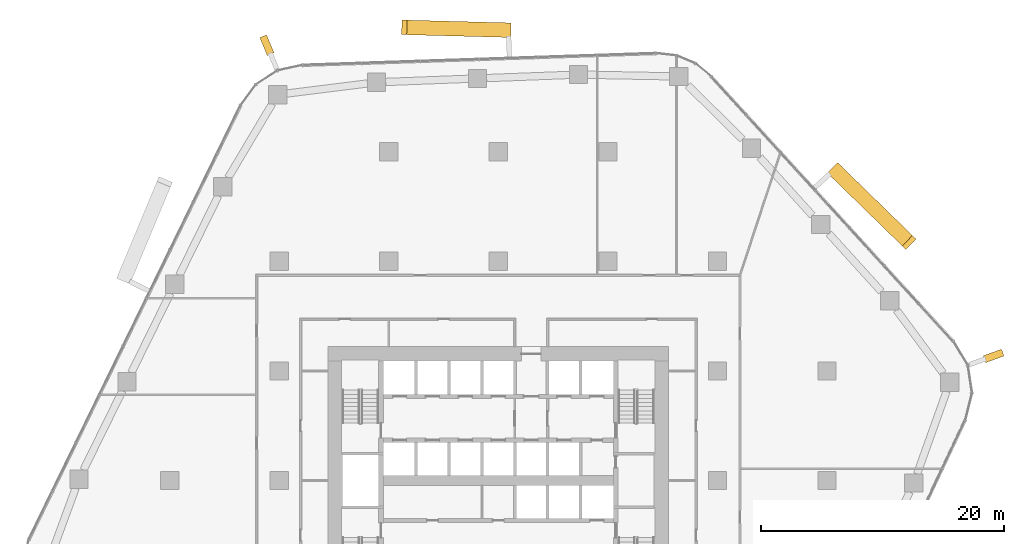
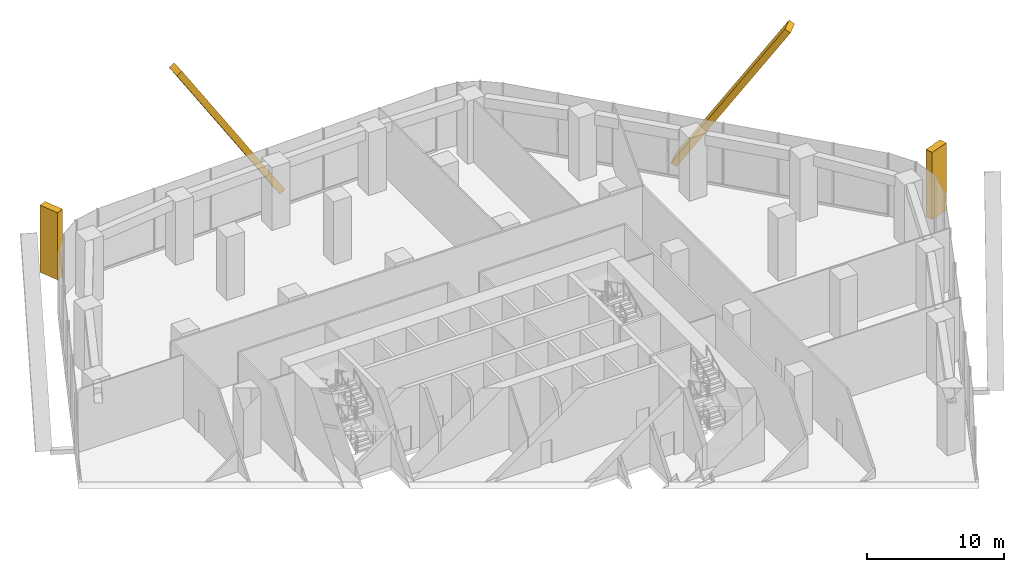
# One storey, part 19 of 19: 4 coverings, 4 elements without a shape of their own.
"""IFC4 building model written with IfcOpenShell, lengths in metres."""

import ifcopenshell
import ifcopenshell.guid

model = None  # the IFC model being written
_history = None  # IfcOwnerHistory: only IFC2X3 demands one
_inside = {}  # id of a spatial element -> (the spatial element, [elements in it])
_under = {}  # id of a project, library or spatial element -> (it, [spatial elements below it])
_declared = {}  # id of a project -> (the project, [libraries it declares])
_typed = {}  # id of a type object -> (the type object, [elements of that type])
_made_of = {}  # id of a material, layer set ... -> (it, [elements and type objects made of it])


def new_model(schema):
    """Start an empty IFC model of exactly this schema.

    Asked for "IFC4X3", IfcOpenShell would pick the latest addendum, in which some entities
    have other attributes; the version numbers below select the first issue.
    IFC2X3 requires an IfcOwnerHistory on every rooted entity: one is made here for all.
    """
    global model, _history
    if schema == "IFC4X3":
        model = ifcopenshell.file(schema_version=(4, 3, 0, 0))
    else:
        model = ifcopenshell.file(schema=schema)
    _inside.clear()
    _under.clear()
    _declared.clear()
    _typed.clear()
    _made_of.clear()
    _history = None
    if model.schema == "IFC2X3":
        org = make("IfcOrganization", Name="unknown")
        user = make(
            "IfcPersonAndOrganization",
            ThePerson=make("IfcPerson", FamilyName="unknown"),
            TheOrganization=org,
        )
        app = make(
            "IfcApplication",
            ApplicationDeveloper=org,
            Version="unknown",
            ApplicationFullName="unknown",
            ApplicationIdentifier="unknown",
        )
        _history = make(
            "IfcOwnerHistory",
            OwningUser=user,
            OwningApplication=app,
            ChangeAction="ADDED",
            CreationDate=0,
        )
    return model


def make(cls, **values):
    """One entity of the class cls with the attributes given. An attribute that is None is left unset."""
    return model.create_entity(
        cls, **{name: value for name, value in values.items() if value is not None}
    )


def rooted(cls, **values):
    """An entity with a GlobalId (a new one), such as an element, a storey or a relation."""
    return make(cls, GlobalId=ifcopenshell.guid.new(), OwnerHistory=_history, **values)


def si_unit(unit_type, name, prefix=None):
    """IfcSIUnit, for example si_unit("LENGTHUNIT", "METRE", prefix="MILLI")."""
    return make("IfcSIUnit", UnitType=unit_type, Prefix=prefix, Name=name)


def assignment(units):
    """IfcUnitAssignment: the units of a project."""
    return None if units is None else make("IfcUnitAssignment", Units=units)


def point(xyz):
    """IfcCartesianPoint."""
    return None if xyz is None else make("IfcCartesianPoint", Coordinates=xyz)


def direction(xyz):
    """IfcDirection."""
    return None if xyz is None else make("IfcDirection", DirectionRatios=xyz)


def frame(location, z_axis=None, x_axis=None):
    """IfcAxis2Placement3D, a coordinate frame: its origin and axes. An axis left out is left unset."""
    return make(
        "IfcAxis2Placement3D",
        Location=point(location),
        Axis=direction(z_axis),
        RefDirection=direction(x_axis),
    )


def frame_2d(location, x_axis=None):
    """IfcAxis2Placement2D, a coordinate frame in the plane: its origin and x axis."""
    return make(
        "IfcAxis2Placement2D", Location=point(location), RefDirection=direction(x_axis)
    )


def origin():
    """The frame at (0, 0, 0) with its axes left unset."""
    return frame((0.0, 0.0, 0.0))


def origin_2d():
    """The frame at (0, 0) in the plane with its x axis left unset."""
    return frame_2d((0.0, 0.0))


def place(relative_to, where):
    """IfcLocalPlacement: puts the frame where relative to a parent placement (None: the world)."""
    return make(
        "IfcLocalPlacement", PlacementRelTo=relative_to, RelativePlacement=where
    )


def context(
    kind, dimensions, precision=None, world=None, true_north=None, identifier=None
):
    """IfcGeometricRepresentationContext, for example the 3D "Model" context."""
    return make(
        "IfcGeometricRepresentationContext",
        ContextIdentifier=identifier,
        ContextType=kind,
        CoordinateSpaceDimension=dimensions,
        Precision=precision,
        WorldCoordinateSystem=world,
        TrueNorth=true_north,
    )


def subcontext(parent, identifier, kind, view, scale=None):
    """IfcGeometricRepresentationSubContext, for example "Body" below "Model"."""
    return make(
        "IfcGeometricRepresentationSubContext",
        ContextIdentifier=identifier,
        ContextType=kind,
        ParentContext=parent,
        TargetScale=scale,
        TargetView=view,
    )


def project(units=None, contexts=None):
    """IfcProject with its units and contexts."""
    return rooted(
        "IfcProject",
        Name="project",
        RepresentationContexts=contexts,
        UnitsInContext=assignment(units),
    )


def spatial(cls, under=None, at=None, **own):
    """A site, building, storey or space (cls), placed at a placement, below another one or the project."""
    s = rooted(cls, ObjectPlacement=at, **own)
    if under is not None:
        _under.setdefault(under.id(), (under, []))[1].append(s)
    return s


def profile(cls, at=None, kind="AREA", **sizes):
    """A parametric profile (cls). Its sizes go by their IFC names, for example OverallWidth=200.0."""
    return make(cls, ProfileType=kind, Position=at, **sizes)


def rectangle(**sizes):
    """IfcRectangleProfileDef."""
    return profile("IfcRectangleProfileDef", **sizes)


def extrude(swept, where, along, depth):
    """IfcExtrudedAreaSolid: the profile swept, set in the frame where, extruded along a direction by depth."""
    return make(
        "IfcExtrudedAreaSolid",
        SweptArea=swept,
        Position=where,
        ExtrudedDirection=direction(along),
        Depth=depth,
    )


def shape(context_of_items, identifier, shape_type, items):
    """IfcShapeRepresentation: the items that make up one representation, for example the "Body"."""
    return make(
        "IfcShapeRepresentation",
        ContextOfItems=context_of_items,
        RepresentationIdentifier=identifier,
        RepresentationType=shape_type,
        Items=items,
    )


def material(Name=None, Category=None):
    """IfcMaterial."""
    return make("IfcMaterial", Name=Name, Category=Category)


def layer(
    of_material, thickness, ventilated=None, Name=None, Category=None, Priority=None
):
    """IfcMaterialLayer: one layer of a wall or slab, of a material (None: an air gap)."""
    return make(
        "IfcMaterialLayer",
        Material=of_material,
        LayerThickness=thickness,
        IsVentilated=ventilated,
        Name=Name,
        Category=Category,
        Priority=Priority,
    )


def layer_set(layers, Name=None):
    """IfcMaterialLayerSet."""
    return make("IfcMaterialLayerSet", MaterialLayers=layers, LayerSetName=Name)


def material_profile(
    of_material, cross_section, Name=None, Category=None, Priority=None
):
    """IfcMaterialProfile: a cross section and its material."""
    return make(
        "IfcMaterialProfile",
        Name=Name,
        Material=of_material,
        Profile=cross_section,
        Priority=Priority,
        Category=Category,
    )


def profile_set(profiles, Name=None, composite=None):
    """IfcMaterialProfileSet."""
    return make(
        "IfcMaterialProfileSet",
        Name=Name,
        MaterialProfiles=profiles,
        CompositeProfile=composite,
    )


def made_of(thing, what):
    """Note that an element or type object is made of a material, layer set ...; save() writes the relation."""
    if what is not None:
        _made_of.setdefault(what.id(), (what, []))[1].append(thing)
    return thing


def type_object(cls, material=None, **own):
    """A type object (cls), such as IfcWallType, which elements share."""
    return made_of(rooted(cls, **own), material)


def element(
    cls,
    number,
    at=None,
    inside=None,
    cuts=None,
    type_object=None,
    material=None,
    context=None,
    identifier="Body",
    shape_type=None,
    held_by="IfcProductDefinitionShape",
    body=None,
    shapes=None,
    **own,
):
    """One element of the class cls, such as IfcWall. Its Tag is "e" and its number.

    at: its placement. inside: the storey or other place that contains it. cuts: it is an
    opening in that element (IfcRelVoidsElement). A single representation is given by context,
    identifier, shape_type and body (its items); several are given by shapes. held_by: the class
    of the entity that holds the representations. save() writes the other relations.
    """
    e = rooted(cls, Tag="e%d" % number, ObjectPlacement=at, **own)
    if body is not None:
        shapes = [shape(context, identifier, shape_type, body)]
    if shapes is not None:
        e.Representation = make(held_by, Representations=shapes)
    if inside is not None:
        _inside.setdefault(inside.id(), (inside, []))[1].append(e)
    if cuts is not None:
        rooted(
            "IfcRelVoidsElement", RelatingBuildingElement=cuts, RelatedOpeningElement=e
        )
    if type_object is not None:
        _typed.setdefault(type_object.id(), (type_object, []))[1].append(e)
    return made_of(e, material)


def aggregate(whole, parts):
    """IfcRelAggregates: a whole, such as a stair, and the parts it consists of."""
    return rooted("IfcRelAggregates", RelatingObject=whole, RelatedObjects=parts)


def save(model, path):
    """Write the relations noted so far, then the file.

    IfcRelAggregates (storeys below a building ...), IfcRelContainedInSpatialStructure (elements
    in a storey), IfcRelDefinesByType, IfcRelAssociatesMaterial and IfcRelDeclares: one each for
    every whole, place, type object, material and project.
    """
    for whole, parts in _under.values():
        aggregate(whole, parts)
    for where, things in _inside.values():
        rooted(
            "IfcRelContainedInSpatialStructure",
            RelatedElements=things,
            RelatingStructure=where,
        )
    for kind, things in _typed.values():
        rooted("IfcRelDefinesByType", RelatedObjects=things, RelatingType=kind)
    for what, things in _made_of.values():
        rooted("IfcRelAssociatesMaterial", RelatedObjects=things, RelatingMaterial=what)
    for by, libraries in _declared.values():
        rooted("IfcRelDeclares", RelatingContext=by, RelatedDefinitions=libraries)
    model.write(path)


model = new_model("IFC4")

# Units and contexts
model_context = context("Model", 3, precision=1e-05, world=origin(), true_north=direction((0.0, 1.0)))
body_context = subcontext(model_context, "Body", "Model", "MODEL_VIEW")
ifc_project = project(units=[si_unit("LENGTHUNIT", "METRE"), si_unit("AREAUNIT", "SQUARE_METRE"), si_unit("VOLUMEUNIT", "CUBIC_METRE"), si_unit("PLANEANGLEUNIT", "RADIAN"), si_unit("MASSUNIT", "GRAM", prefix="KILO")], contexts=[model_context])

# Site, building, storey
site_placement = place(None, origin())
site = spatial("IfcSite", under=ifc_project, at=site_placement, CompositionType="ELEMENT")
building_placement = place(site_placement, origin())
building = spatial("IfcBuilding", under=site, at=building_placement, Name="Dongbaek Canopy Tower", CompositionType="ELEMENT")
storey_placement = place(building_placement, frame((0.0, 0.0, 38.0)))
storey = spatial("IfcBuildingStorey", under=building, at=storey_placement, Name="L05", CompositionType="ELEMENT", Elevation=38.0)

# Curtain wall, covering
ifc_material_1 = material(Name="Aluminium 6063-T6 pale anodised", Category="aluminium")
ifc_layer = layer(ifc_material_1, 0.25)
ifc_layer_set = layer_set([ifc_layer], Name="CW-4 sky-lobby curtain wall")
curtain_wall_type = type_object("IfcCurtainWallType", Name="CW-4 sky-lobby curtain wall", PredefinedType="NOTDEFINED", material=ifc_layer_set)
curtain_wall_1_placement = place(storey_placement, origin())
curtain_wall_1 = element("IfcCurtainWall", 1, at=curtain_wall_1_placement, inside=storey, type_object=curtain_wall_type, Name="CW-4 curtain wall K0.1", PredefinedType="NOTDEFINED")
ifc_material_2 = material(Name="Aluminium 6063-T6 pale metal fin", Category="aluminium")
ifc_material_profile_1 = material_profile(ifc_material_2, rectangle(XDim=1.60009765625, YDim=0.60009765625, at=origin_2d()), Name="Corner fin CN1 600 x 1600 pale metal")
ifc_profile_set_1 = profile_set([ifc_material_profile_1], Name="Aluminium 6063-T6 pale metal fin")
covering_type_1 = type_object("IfcCoveringType", Name="Corner fin CN1 600 x 1600 pale metal", PredefinedType="CLADDING", material=ifc_profile_set_1)
covering_1_placement = place(storey_placement, frame((40.69580078125, 10.230712890625, -0.199951171875), z_axis=(0.0, 0.0, 1.0), x_axis=(0.94053797847, 0.339688550079, 0.0)))
covering_1 = element("IfcCovering", 2, at=covering_1_placement, type_object=covering_type_1, Name="Corner fin L05 L05 K0", PredefinedType="CLADDING", context=body_context, shape_type="SweptSolid", body=[
    extrude(rectangle(XDim=1.60009765625, YDim=0.60009765625, at=origin_2d()), origin(), (0.0, 0.0, 1.0), 5.97998046875),
])
aggregate(curtain_wall_1, [covering_1])

curtain_wall_2_placement = place(storey_placement, origin())
curtain_wall_2 = element("IfcCurtainWall", 3, at=curtain_wall_2_placement, inside=storey, type_object=curtain_wall_type, Name="CW-4 curtain wall K2.1", PredefinedType="NOTDEFINED")
covering_2_placement = place(storey_placement, frame((-19.01953125, 35.76220703125, -0.199951171875), z_axis=(0.0, 0.0, 1.0), x_axis=(-0.38448705976, 0.923130381299, 0.0)))
covering_2 = element("IfcCovering", 4, at=covering_2_placement, type_object=covering_type_1, Name="Corner fin L05 L05 K2", PredefinedType="CLADDING", context=body_context, shape_type="SweptSolid", body=[
    extrude(rectangle(XDim=1.60009765625, YDim=0.60009765625, at=origin_2d()), origin(), (0.0, 0.0, 1.0), 5.97998046875),
])
aggregate(curtain_wall_2, [covering_2])

curtain_wall_3_placement = place(storey_placement, origin())
curtain_wall_3 = element("IfcCurtainWall", 5, at=curtain_wall_3_placement, inside=storey, type_object=curtain_wall_type, Name="CW-4 curtain wall F0.1", PredefinedType="NOTDEFINED")
ifc_material_3 = material(Name="Aluminium 6063-T6 pale metal fin", Category="aluminium")
ifc_material_profile_2 = material_profile(ifc_material_3, rectangle(XDim=1.199951171875, YDim=0.5, at=origin_2d()), Name="Crease fin CF1 500 x 1200 pale metal")
ifc_profile_set_2 = profile_set([ifc_material_profile_2], Name="Aluminium 6063-T6 pale metal fin")
covering_type_2 = type_object("IfcCoveringType", Name="Crease fin CF1 500 x 1200 pale metal", PredefinedType="CLADDING", material=ifc_profile_set_2)
covering_3_placement = place(storey_placement, frame((27.609375, 25.538330078125, -0.199951171875), z_axis=(0.386321960745, -0.376364734672, 0.84208368298), x_axis=(0.697815709409, 0.716277345518, 0.0)))
covering_3 = element("IfcCovering", 6, at=covering_3_placement, type_object=covering_type_2, Name="Crease fin L05 L08 F0", PredefinedType="CLADDING", context=body_context, shape_type="SweptSolid", body=[
    extrude(rectangle(XDim=1.199951171875, YDim=0.5, at=origin_2d()), origin(), (0.0, 0.0, 1.0), 15.912841796875),
])
aggregate(curtain_wall_3, [covering_3])

curtain_wall_4_placement = place(storey_placement, origin())
curtain_wall_4 = element("IfcCurtainWall", 7, at=curtain_wall_4_placement, inside=storey, type_object=curtain_wall_type, Name="CW-4 curtain wall F1.1", PredefinedType="NOTDEFINED")
covering_4_placement = place(storey_placement, frame((0.830078125, 37.001708984375, -0.199951171875), z_axis=(-0.53812647215, 0.014294968059, 0.842742875294), x_axis=(-0.026554960122, -0.999647354867, 0.0)))
covering_4 = element("IfcCovering", 8, at=covering_4_placement, type_object=covering_type_2, Name="Crease fin L05 L08 F1", PredefinedType="CLADDING", context=body_context, shape_type="SweptSolid", body=[
    extrude(rectangle(XDim=1.199951171875, YDim=0.5, at=origin_2d()), origin(), (0.0, 0.0, 1.0), 15.900390625),
])
aggregate(curtain_wall_4, [covering_4])

save(model, "model.ifc")
